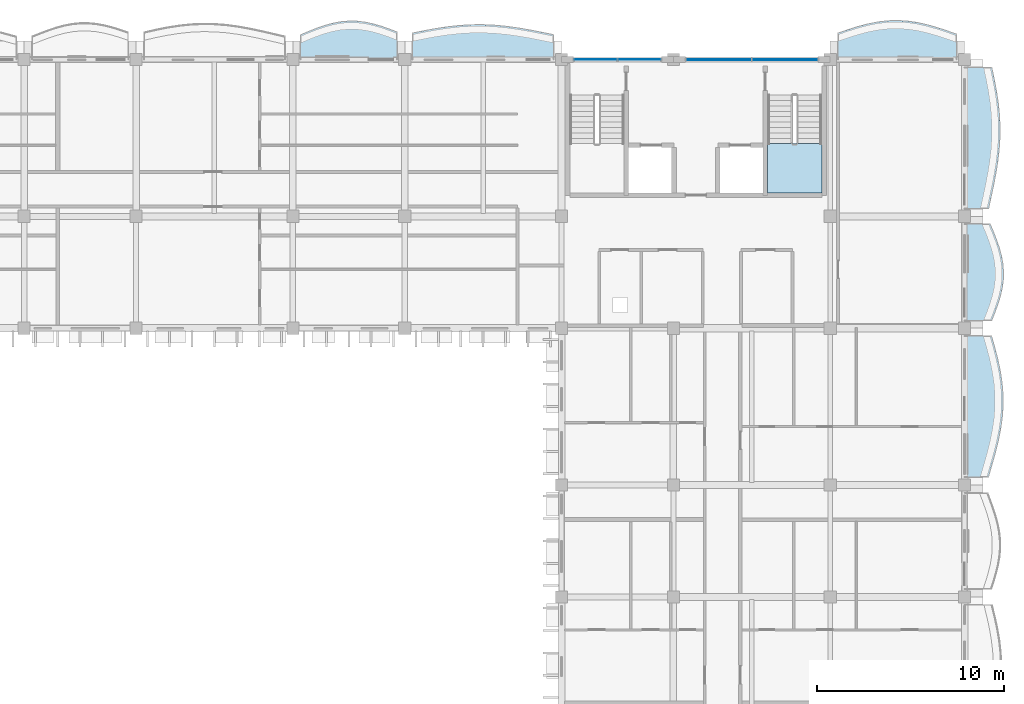
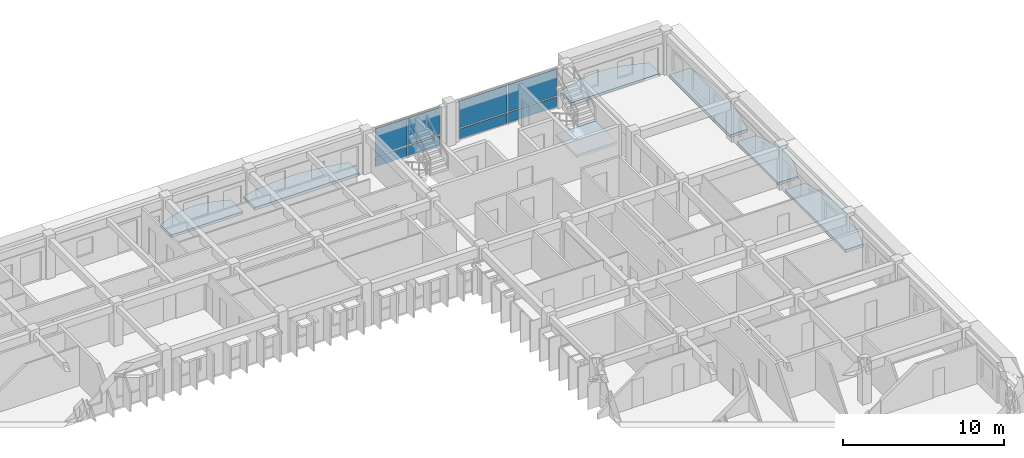
# One storey, part 13 of 70: 8 plates, 7 slabs, 3 elements without a shape of their own.
"""IFC4 building model written with IfcOpenShell, lengths in metres."""

from ifc_helpers import new_model, si_unit, direction, frame, origin, origin_2d, place, context, subcontext, project, spatial, polyline, rectangle, outline, extrude, material, layer, layer_set, type_object, element, aggregate, save


model = new_model("IFC4")

# Units and contexts
model_context = context("Model", 3, precision=1e-05, world=origin(), true_north=direction((0.0, 1.0)))
body_context = subcontext(model_context, "Body", "Model", "MODEL_VIEW")
ifc_project = project(units=[si_unit("LENGTHUNIT", "METRE"), si_unit("AREAUNIT", "SQUARE_METRE"), si_unit("VOLUMEUNIT", "CUBIC_METRE"), si_unit("PLANEANGLEUNIT", "RADIAN"), si_unit("MASSUNIT", "GRAM", prefix="KILO"), si_unit("THERMODYNAMICTEMPERATUREUNIT", "KELVIN")], contexts=[model_context])

# Site, building, storey
site_placement = place(None, origin())
site = spatial("IfcSite", under=ifc_project, at=site_placement, CompositionType="ELEMENT")
building_placement = place(site_placement, origin())
building = spatial("IfcBuilding", under=site, at=building_placement, Name="Thalorik Housing Commons", CompositionType="ELEMENT")
storey_placement = place(building_placement, frame((0.0, 0.0, 14.699951171875)))
storey = spatial("IfcBuildingStorey", under=building, at=storey_placement, Name="L04", CompositionType="ELEMENT", Elevation=14.699951171875)

# Curtain wall, plates
ifc_material_1 = material(Name="Anodised aluminium and solar-control low-E glass", Category="aluminium")
curtain_wall_type = type_object("IfcCurtainWallType", Name="ARC-CW-CORE", PredefinedType="USERDEFINED", material=ifc_material_1)
curtain_wall_1_placement = place(storey_placement, origin())
curtain_wall_1 = element("IfcCurtainWall", 1, at=curtain_wall_1_placement, inside=storey, type_object=curtain_wall_type, Name="L04 Curtain Wall CW-CORE-L04-B-089", ObjectType="CURTAIN WALL", PredefinedType="USERDEFINED")
ifc_material_2 = material(Name="Double solar-control low-E glass", Category="glass")
ifc_layer_1 = layer(ifc_material_2, 0.028076171875, Name="Double solar-control low-E glass", Category="glass")
ifc_layer_set_1 = layer_set([ifc_layer_1], Name="Double solar-control low-E glass")
plate_type_1 = type_object("IfcPlateType", Name="ARC-CP-GLZ-28", PredefinedType="CURTAIN_PANEL", material=ifc_layer_set_1)
plate_1_placement = place(storey_placement, frame((164.375, 123.60009765625, 0.919921875), z_axis=(0.0, 0.0, 1.0), x_axis=(-1.0, 0.0, 0.0)))
plate_1 = element("IfcPlate", 2, at=plate_1_placement, type_object=plate_type_1, Name="CW-CORE-L04-B-089 Vision Panel 1", PredefinedType="CURTAIN_PANEL", context=body_context, shape_type="SweptSolid", body=[
    extrude(rectangle(XDim=3.489990234375, YDim=0.028076171875, at=origin_2d()), origin(), (0.0, 0.0, 1.0), 2.0400390625),
])
plate_2_placement = place(storey_placement, frame((160.824951171875, 123.60009765625, 0.919921875), z_axis=(0.0, 0.0, 1.0), x_axis=(-1.0, 0.0, 0.0)))
plate_2 = element("IfcPlate", 3, at=plate_2_placement, type_object=plate_type_1, Name="CW-CORE-L04-B-089 Vision Panel 2", PredefinedType="CURTAIN_PANEL", context=body_context, shape_type="SweptSolid", body=[
    extrude(rectangle(XDim=3.489990234375, YDim=0.028076171875, at=origin_2d()), origin(), (0.0, 0.0, 1.0), 2.0400390625),
])

curtain_wall_2_placement = place(storey_placement, origin())
curtain_wall_2 = element("IfcCurtainWall", 4, at=curtain_wall_2_placement, inside=storey, type_object=curtain_wall_type, Name="L04 Curtain Wall CW-CORE-L04-B-090", ObjectType="CURTAIN WALL", PredefinedType="USERDEFINED")
plate_3_placement = place(storey_placement, frame((156.574951171875, 123.60009765625, 0.919921875), z_axis=(0.0, 0.0, 1.0), x_axis=(-1.0, 0.0, 0.0)))
plate_3 = element("IfcPlate", 5, at=plate_3_placement, type_object=plate_type_1, Name="CW-CORE-L04-B-090 Vision Panel 1", PredefinedType="CURTAIN_PANEL", context=body_context, shape_type="SweptSolid", body=[
    extrude(rectangle(XDim=2.2900390625, YDim=0.028076171875, at=origin_2d()), origin(), (0.0, 0.0, 1.0), 2.0400390625),
])
plate_4_placement = place(storey_placement, frame((154.22509765625, 123.60009765625, 0.919921875), z_axis=(0.0, 0.0, 1.0), x_axis=(-1.0, 0.0, 0.0)))
plate_4 = element("IfcPlate", 6, at=plate_4_placement, type_object=plate_type_1, Name="CW-CORE-L04-B-090 Vision Panel 2", PredefinedType="CURTAIN_PANEL", context=body_context, shape_type="SweptSolid", body=[
    extrude(rectangle(XDim=2.2900390625, YDim=0.028076171875, at=origin_2d()), origin(), (0.0, 0.0, 1.0), 2.0400390625),
])
ifc_material_3 = material(Name="Oxide red enamelled aluminium spandrel panel", Category="aluminium")
ifc_layer_2 = layer(ifc_material_3, 0.0419921875, Name="Oxide red enamelled aluminium spandrel panel", Category="aluminium")
ifc_layer_set_2 = layer_set([ifc_layer_2], Name="Oxide red enamelled aluminium spandrel panel")
plate_type_2 = type_object("IfcPlateType", Name="ARC-CP-RED-42", PredefinedType="CURTAIN_PANEL", material=ifc_layer_set_2)
plate_5_placement = place(storey_placement, frame((156.574951171875, 123.60009765625, 0.080078125), z_axis=(0.0, 0.0, 1.0), x_axis=(-1.0, 0.0, 0.0)))
plate_5 = element("IfcPlate", 7, at=plate_5_placement, type_object=plate_type_2, Name="CW-CORE-L04-B-090 Spandrel Panel 1", PredefinedType="CURTAIN_PANEL", context=body_context, shape_type="SweptSolid", body=[
    extrude(rectangle(XDim=2.2900390625, YDim=0.0419921875, at=origin_2d()), origin(), (0.0, 0.0, 1.0), 0.760009765625),
])
plate_6_placement = place(storey_placement, frame((154.22509765625, 123.60009765625, 0.080078125), z_axis=(0.0, 0.0, 1.0), x_axis=(-1.0, 0.0, 0.0)))
plate_6 = element("IfcPlate", 8, at=plate_6_placement, type_object=plate_type_2, Name="CW-CORE-L04-B-090 Spandrel Panel 2", PredefinedType="CURTAIN_PANEL", context=body_context, shape_type="SweptSolid", body=[
    extrude(rectangle(XDim=2.2900390625, YDim=0.0419921875, at=origin_2d()), origin(), (0.0, 0.0, 1.0), 0.760009765625),
])
aggregate(curtain_wall_2, [plate_5, plate_3, plate_6, plate_4])

# Plate
ifc_material_4 = material(Name="Mineral ochre yellow aluminium spandrel panel", Category="aluminium")
ifc_layer_3 = layer(ifc_material_4, 0.050048828125, Name="Mineral ochre yellow aluminium spandrel panel", Category="aluminium")
ifc_layer_set_3 = layer_set([ifc_layer_3], Name="Mineral ochre yellow aluminium spandrel panel")
plate_type_3 = type_object("IfcPlateType", Name="ARC-CP-YEL-50", PredefinedType="CURTAIN_PANEL", material=ifc_layer_set_3)
plate_7_placement = place(storey_placement, frame((164.375, 123.60009765625, 0.080078125), z_axis=(0.0, 0.0, 1.0), x_axis=(-1.0, 0.0, 0.0)))
plate_7 = element("IfcPlate", 9, at=plate_7_placement, type_object=plate_type_3, Name="CW-CORE-L04-B-089 Spandrel Panel 1", PredefinedType="CURTAIN_PANEL", context=body_context, shape_type="SweptSolid", body=[
    extrude(rectangle(XDim=3.489990234375, YDim=0.050048828125, at=origin_2d()), origin(), (0.0, 0.0, 1.0), 0.760009765625),
])

plate_8_placement = place(storey_placement, frame((160.824951171875, 123.60009765625, 0.080078125), z_axis=(0.0, 0.0, 1.0), x_axis=(-1.0, 0.0, 0.0)))
plate_8 = element("IfcPlate", 10, at=plate_8_placement, type_object=plate_type_3, Name="CW-CORE-L04-B-089 Spandrel Panel 2", PredefinedType="CURTAIN_PANEL", context=body_context, shape_type="SweptSolid", body=[
    extrude(rectangle(XDim=3.489990234375, YDim=0.050048828125, at=origin_2d()), origin(), (0.0, 0.0, 1.0), 0.760009765625),
])

aggregate(curtain_wall_1, [plate_7, plate_1, plate_8, plate_2])

# Stair, slab
ifc_material_5 = material(Name="Precast concrete C40/50", Category="concrete")
stair_type = type_object("IfcStairType", Name="ARC-STR-1350-R20", PredefinedType="HALF_TURN_STAIR", material=ifc_material_5)
stair_placement = place(storey_placement, origin())
stair = element("IfcStair", 11, at=stair_placement, inside=storey, type_object=stair_type, Name="L04 Block B Smoke-Proof Stair 2", PredefinedType="HALF_TURN_STAIR")
ifc_layer_4 = layer(ifc_material_5, 0.199951171875, Name="Precast concrete C40/50", Category="concrete")
ifc_layer_set_4 = layer_set([ifc_layer_4], Name="Precast concrete C40/50")
slab_type_1 = type_object("IfcSlabType", Name="ARC-SLB-STLND-200", PredefinedType="LANDING", material=ifc_layer_set_4)
slab_1_placement = place(storey_placement, frame((0.0, 0.0, 1.449951171875)))
slab_1 = element("IfcSlab", 12, at=slab_1_placement, type_object=slab_type_1, Name="ST-B2 landing 1", PredefinedType="LANDING", context=body_context, shape_type="SweptSolid", body=[
    extrude(outline(polyline([(163.449951171875, 119.090087890625), (163.449951171875, 116.449951171875), (166.35009765625, 116.449951171875), (166.35009765625, 119.090087890625), (163.449951171875, 119.090087890625)])), origin(), (0.0, 0.0, 1.0), 0.2001953125),
])
aggregate(stair, [slab_1])

# Slabs
ifc_layer_5 = layer(ifc_material_5, 0.199951171875, Name="Precast concrete C40/50", Category="concrete")
ifc_layer_set_5 = layer_set([ifc_layer_5], Name="Precast concrete C40/50")
slab_type_2 = type_object("IfcSlabType", Name="STR-SLB-BALC-200", PredefinedType="FLOOR", material=ifc_layer_set_5)
slab_2_placement = place(storey_placement, frame((0.0, 0.0, -0.199951171875)))
element("IfcSlab", 13, at=slab_2_placement, inside=storey, type_object=slab_type_2, Name="L04 Block B Cushion Balcony 143", PredefinedType="FLOOR", context=body_context, shape_type="SweptSolid", body=[
    extrude(outline(polyline([(138.419921875, 123.60009765625), (143.580078125, 123.60009765625), (143.580078125, 125.081298828125), (143.14990234375, 125.2451171875), (142.719970703125, 125.393798828125), (142.2900390625, 125.517822265625), (141.860107421875, 125.608154296875), (141.429931640625, 125.658447265625), (141.0, 125.6650390625), (140.570068359375, 125.627197265625), (140.139892578125, 125.54638671875), (139.7099609375, 125.427978515625), (139.280029296875, 125.279296875), (138.85009765625, 125.109375), (138.419921875, 124.92919921875), (138.419921875, 123.60009765625)])), origin(), (0.0, 0.0, 1.0), 0.199951171875),
])
slab_3_placement = place(storey_placement, frame((0.0, 0.0, -0.199951171875)))
element("IfcSlab", 14, at=slab_3_placement, inside=storey, type_object=slab_type_2, Name="L04 Block B Cushion Balcony 146", PredefinedType="FLOOR", context=body_context, shape_type="SweptSolid", body=[
    extrude(outline(polyline([(175.45751953125, 109.6201171875), (175.629150390625, 110.050048828125), (175.78662109375, 110.47998046875), (175.9189453125, 110.909912109375), (176.01806640625, 111.340087890625), (176.07666015625, 111.77001953125), (176.0908203125, 112.199951171875), (176.059814453125, 112.6298828125), (175.984619140625, 113.06005859375), (175.870361328125, 113.489990234375), (175.724365234375, 113.919921875), (175.5556640625, 114.35009765625), (175.375244140625, 114.780029296875), (174.0, 114.780029296875), (174.0, 109.6201171875), (175.45751953125, 109.6201171875)])), origin(), (0.0, 0.0, 1.0), 0.199951171875),
])
ifc_layer_6 = layer(ifc_material_5, 0.219970703125, Name="Precast concrete C40/50", Category="concrete")
ifc_layer_set_6 = layer_set([ifc_layer_6], Name="Precast concrete C40/50")
slab_type_3 = type_object("IfcSlabType", Name="STR-SLB-BALC-220", PredefinedType="FLOOR", material=ifc_layer_set_6)
slab_4_placement = place(storey_placement, frame((0.0, 0.0, -0.219970703125)))
element("IfcSlab", 15, at=slab_4_placement, inside=storey, type_object=slab_type_3, Name="L04 Block B Cushion Balcony 144", PredefinedType="FLOOR", context=body_context, shape_type="SweptSolid", body=[
    extrude(outline(polyline([(144.419921875, 123.60009765625), (151.97998046875, 123.60009765625), (151.97998046875, 124.93212890625), (151.35009765625, 125.061279296875), (150.719970703125, 125.1845703125), (150.090087890625, 125.293701171875), (149.4599609375, 125.381591796875), (148.830078125, 125.44189453125), (148.199951171875, 125.47119140625), (147.570068359375, 125.466796875), (146.93994140625, 125.42919921875), (146.31005859375, 125.360595703125), (145.679931640625, 125.265625), (145.050048828125, 125.150634765625), (144.419921875, 125.02294921875), (144.419921875, 123.60009765625)])), origin(), (0.0, 0.0, 1.0), 0.219970703125),
])
slab_5_placement = place(storey_placement, frame((0.0, 0.0, -0.219970703125)))
element("IfcSlab", 16, at=slab_5_placement, inside=storey, type_object=slab_type_3, Name="L04 Block B Cushion Balcony 145", PredefinedType="FLOOR", context=body_context, shape_type="SweptSolid", body=[
    extrude(outline(polyline([(167.219970703125, 123.60009765625), (173.580078125, 123.60009765625), (173.580078125, 124.959716796875), (173.050048828125, 125.1455078125), (172.52001953125, 125.319580078125), (171.989990234375, 125.470458984375), (171.4599609375, 125.588134765625), (170.929931640625, 125.6650390625), (170.39990234375, 125.69580078125), (169.8701171875, 125.67919921875), (169.340087890625, 125.615478515625), (168.81005859375, 125.509765625), (168.280029296875, 125.368896484375), (167.75, 125.201904296875), (167.219970703125, 125.020263671875), (167.219970703125, 123.60009765625)])), origin(), (0.0, 0.0, 1.0), 0.219970703125),
])
slab_6_placement = place(storey_placement, frame((0.0, 0.0, -0.219970703125)))
element("IfcSlab", 17, at=slab_6_placement, inside=storey, type_object=slab_type_3, Name="L04 Block B Cushion Balcony 147", PredefinedType="FLOOR", context=body_context, shape_type="SweptSolid", body=[
    extrude(outline(polyline([(175.291748046875, 115.6201171875), (175.428466796875, 116.25), (175.561767578125, 116.8798828125), (175.682861328125, 117.510009765625), (175.783203125, 118.139892578125), (175.856201171875, 118.77001953125), (175.89697265625, 119.39990234375), (175.902099609375, 120.030029296875), (175.87109375, 120.659912109375), (175.806396484375, 121.2900390625), (175.7119140625, 121.919921875), (175.593505859375, 122.550048828125), (175.45947265625, 123.179931640625), (174.0, 123.179931640625), (174.0, 115.6201171875), (175.291748046875, 115.6201171875)])), origin(), (0.0, 0.0, 1.0), 0.219970703125),
])
slab_7_placement = place(storey_placement, frame((0.0, 0.0, -0.219970703125)))
element("IfcSlab", 18, at=slab_7_placement, inside=storey, type_object=slab_type_3, Name="L04 Block B Cushion Balcony 151", PredefinedType="FLOOR", context=body_context, shape_type="SweptSolid", body=[
    extrude(outline(polyline([(175.278564453125, 101.219970703125), (175.461181640625, 101.85009765625), (175.63818359375, 102.47998046875), (175.797119140625, 103.110107421875), (175.9267578125, 103.739990234375), (176.018310546875, 104.3701171875), (176.065185546875, 105.0), (176.06396484375, 105.6298828125), (176.0146484375, 106.260009765625), (175.920654296875, 106.889892578125), (175.7880859375, 107.52001953125), (175.626220703125, 108.14990234375), (175.4462890625, 108.780029296875), (174.0, 108.780029296875), (174.0, 101.219970703125), (175.278564453125, 101.219970703125)])), origin(), (0.0, 0.0, 1.0), 0.219970703125),
])

save(model, "model.ifc")
